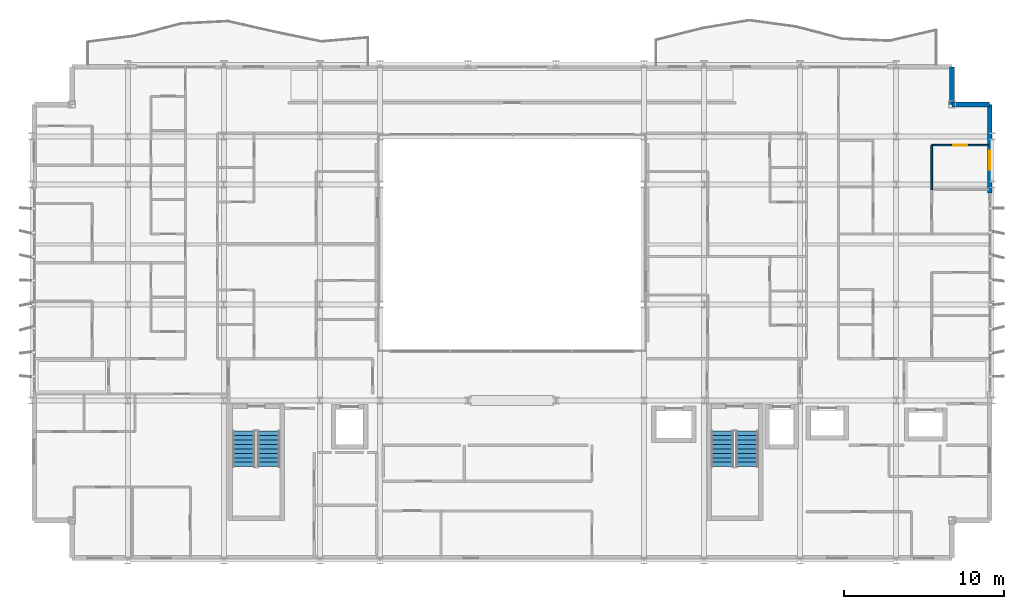
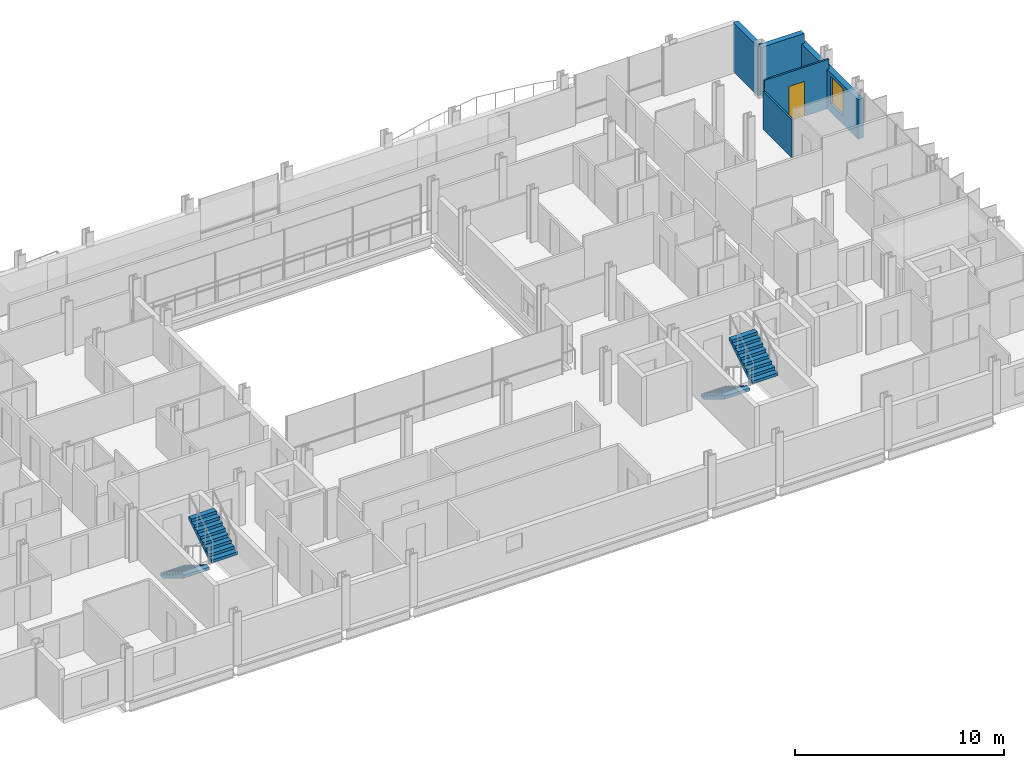
# One storey, part 33 of 39: 5 walls, 4 stair flights, 1 door, 1 window, 2 openings, 2 elements without a shape of their own.
"""IFC4 building model written with IfcOpenShell, lengths in metres."""

from ifc_helpers import new_model, si_unit, direction, frame, frame_2d, origin, place, context, subcontext, project, spatial, polyline, rectangle, outline, extrude, material, layer, layer_set, type_object, element, fill, aggregate, save


model = new_model("IFC4")

# Units and contexts
model_context = context("Model", 3, precision=1e-05, world=origin(), true_north=direction((0.0, 1.0)))
body_context = subcontext(model_context, "Body", "Model", "MODEL_VIEW")
ifc_project = project(units=[si_unit("LENGTHUNIT", "METRE"), si_unit("AREAUNIT", "SQUARE_METRE"), si_unit("VOLUMEUNIT", "CUBIC_METRE"), si_unit("PLANEANGLEUNIT", "RADIAN"), si_unit("MASSUNIT", "GRAM", prefix="KILO")], contexts=[model_context])

# Site, building, storey
site_placement = place(None, origin())
site = spatial("IfcSite", under=ifc_project, at=site_placement, CompositionType="ELEMENT")
building_placement = place(site_placement, origin())
building = spatial("IfcBuilding", under=site, at=building_placement, Name="Brevholm Reach", CompositionType="ELEMENT")
storey_placement = place(building_placement, frame((0.0, 0.0, 90.0)))
storey = spatial("IfcBuildingStorey", under=building, at=storey_placement, Name="L26", CompositionType="ELEMENT", Elevation=90.0)

# Walls
ifc_material_1 = material(Name="Concrete C40/50", Category="concrete")
ifc_layer_1 = layer(ifc_material_1, 0.300048828125)
ifc_layer_set_1 = layer_set([ifc_layer_1], Name="Concrete C40/50")
wall_type_1 = type_object("IfcWallType", Name="WAL-EXT-300", PredefinedType="STANDARD", material=ifc_layer_set_1)
for number, where, z_axis, x_axis, name in (
    (1, (59.85009765625, 28.5, 0.0), (0.0, 0.0, 1.0), (-1.0, 0.0, 0.0), "L26 Facade Wall WAL-L26-CNE1"),
    (2, (57.5, 28.5, 0.0), (0.0, 0.0, 1.0), (0.0, 1.0, 0.0), "L26 Facade Wall WAL-L26-CNE2"),
):
    element("IfcWall", number, at=place(storey_placement, frame(where, z_axis=z_axis, x_axis=x_axis)), inside=storey, type_object=wall_type_1, Name=name, PredefinedType="STANDARD", context=body_context, shape_type="SweptSolid", body=[
        extrude(rectangle(XDim=2.35009765625, YDim=0.300048828125, at=frame_2d((1.175048828125, 0.0))), origin(), (0.0, 0.0, 1.0), 2.8701171875),
    ])

# Wall, opening, window
wall_1_placement = place(storey_placement, frame((59.85009765625, 22.949951171875, 0.0), z_axis=(0.0, 0.0, 1.0), x_axis=(0.0, 1.0, 0.0)))
wall_1 = element("IfcWall", 3, at=wall_1_placement, inside=storey, type_object=wall_type_1, Name="L26 Facade Wall WAL-L26-E-N", PredefinedType="STANDARD", context=body_context, shape_type="SweptSolid", body=[
    extrude(rectangle(XDim=5.550048828125, YDim=0.300048828125, at=frame_2d((2.77490234375, 0.0))), origin(), (0.0, 0.0, 1.0), 2.305419921875),
])
opening_1_placement = place(wall_1_placement, frame((1.449951171875, 0.0, 0.485107421875)))
opening_1 = element("IfcOpeningElement", 4, at=opening_1_placement, cuts=wall_1, Name="Opening WN-08", PredefinedType="OPENING", context=body_context, shape_type="SweptSolid", body=[
    extrude(rectangle(XDim=1.199951171875, YDim=1.60009765625, at=frame_2d((0.60009765625, 0.800048828125))), frame((0.0, 0.159912109375, 0.0), z_axis=(0.0, -1.0, 0.0), x_axis=(1.0, 0.0, 0.0)), (0.0, 0.0, 1.0), 0.320068359375),
])
ifc_material_2 = material(Name="Dark Anodised Aluminium and Solar-Control IGU Glass", Category="aluminium")
window_type = type_object("IfcWindowType", Name="WIN-RES-1200", PartitioningType="SINGLE_PANEL", PredefinedType="WINDOW", material=ifc_material_2)
window_placement = place(opening_1_placement, origin())
window = element("IfcWindow", 5, at=window_placement, inside=storey, type_object=window_type, Name="L26 Window WIN-L26-EN-1", OverallHeight=1.60009765625, OverallWidth=1.199951171875, PartitioningType="SINGLE_PANEL", PredefinedType="WINDOW", context=body_context, shape_type="SweptSolid", body=[
    extrude(rectangle(XDim=1.199951171875, YDim=1.60009765625, at=frame_2d((0.60009765625, 0.800048828125))), frame((0.0, 0.030029296875, 0.0), z_axis=(0.0, -1.0, 0.0), x_axis=(1.0, 0.0, 0.0)), (0.0, 0.0, 1.0), 0.06005859375),
])
fill(opening_1, window)

# Wall, opening, door
ifc_material_3 = material(Name="Moisture-Resistant Acoustic Gypsum Stud Partition 100 mm", Category="gypsum")
ifc_layer_2 = layer(ifc_material_3, 0.10009765625)
ifc_layer_set_2 = layer_set([ifc_layer_2], Name="Moisture-Resistant Acoustic Gypsum Stud Partition 100 mm")
wall_type_2 = type_object("IfcWallType", Name="WAL-PRT-100", PredefinedType="PARTITIONING", material=ifc_layer_set_2)
wall_2_placement = place(storey_placement, frame((56.22802734375, 25.949951171875, 0.0), z_axis=(0.0, 0.0, 1.0), x_axis=(1.0, 0.0, 0.0)))
wall_2 = element("IfcWall", 6, at=wall_2_placement, inside=storey, type_object=wall_type_2, Name="L26 Internal Partition 162", PredefinedType="PARTITIONING", context=body_context, shape_type="SweptSolid", body=[
    extrude(rectangle(XDim=3.572021484375, YDim=0.10009765625, at=frame_2d((1.7861328125, 0.0))), origin(), (0.0, 0.0, 1.0), 2.8701171875),
])
opening_2_placement = place(wall_2_placement, frame((1.345947265625, 0.0, 0.0)))
opening_2 = element("IfcOpeningElement", 7, at=opening_2_placement, cuts=wall_2, Name="Opening ID-01", PredefinedType="OPENING", context=body_context, shape_type="SweptSolid", body=[
    extrude(rectangle(XDim=0.8798828125, YDim=2.0400390625, at=frame_2d((0.43994140625, 1.02001953125))), frame((0.0, 0.06005859375, 0.0), z_axis=(0.0, -1.0, 0.0), x_axis=(1.0, 0.0, 0.0)), (0.0, 0.0, 1.0), 0.1201171875),
])
ifc_material_4 = material(Name="Lacquered Ash Solid-Core Acoustic Internal Door", Category="timber")
door_type = type_object("IfcDoorType", Name="DOR-INT-880", OperationType="NOTDEFINED", PredefinedType="DOOR", material=ifc_material_4)
door_placement = place(opening_2_placement, origin())
door = element("IfcDoor", 8, at=door_placement, inside=storey, type_object=door_type, Name="L26 Internal Door 062", OperationType="SINGLE_SWING_RIGHT", OverallHeight=2.0400390625, OverallWidth=0.8798828125, PredefinedType="DOOR", context=body_context, shape_type="SweptSolid", body=[
    extrude(rectangle(XDim=0.8798828125, YDim=2.0400390625, at=frame_2d((0.43994140625, 1.02001953125))), frame((0.0, 0.02490234375, 0.0), z_axis=(0.0, -1.0, 0.0), x_axis=(1.0, 0.0, 0.0)), (0.0, 0.0, 1.0), 0.050048828125),
])
fill(opening_2, door)

# Wall
wall_3_placement = place(storey_placement, frame((56.22802734375, 23.178955078125, 0.0), z_axis=(0.0, 0.0, 1.0), x_axis=(0.0, 1.0, 0.0)))
element("IfcWall", 9, at=wall_3_placement, inside=storey, type_object=wall_type_2, Name="L26 Internal Partition 163", PredefinedType="PARTITIONING", context=body_context, shape_type="SweptSolid", body=[
    extrude(rectangle(XDim=2.77099609375, YDim=0.10009765625, at=frame_2d((1.385498046875, 0.0))), origin(), (0.0, 0.0, 1.0), 2.224853515625),
])

# Stair, stair flights
ifc_material_5 = material(Name="Precast Concrete C40/50", Category="concrete")
stair_type = type_object("IfcStairType", Name="STR-ESC-1400", PredefinedType="DOUBLE_RETURN_STAIR", material=ifc_material_5)
stair_1_placement = place(storey_placement, origin())
stair_1 = element("IfcStair", 10, at=stair_1_placement, inside=storey, type_object=stair_type, Name="L26 ST-1", PredefinedType="DOUBLE_RETURN_STAIR")
ifc_material_6 = material(Name="Precast Concrete C40/50", Category="concrete")
ifc_layer_3 = layer(ifc_material_6, 0.18505859375)
ifc_layer_set_3 = layer_set([ifc_layer_3], Name="Precast Concrete C40/50")
stair_flight_type = type_object("IfcStairFlightType", Name="STF-PRC-185", PredefinedType="STRAIGHT", material=ifc_layer_set_3)
stair_flight_1_placement = place(storey_placement, frame((13.25, 8.10009765625, 0.0), z_axis=(0.0, 0.0, 1.0), x_axis=(0.0, -1.0, 0.0)))
stair_flight_1 = element("IfcStairFlight", 11, at=stair_flight_1_placement, type_object=stair_flight_type, Name="ST-1 flight 1", NumberOfRisers=9, NumberOfTreads=8, PredefinedType="STRAIGHT", RiserHeight=0.172222222, TreadLength=0.28, context=body_context, shape_type="SweptSolid", body=[
    extrude(outline(polyline([(0.0, 0.0), (0.0, 0.172119140625), (0.280029296875, 0.172119140625), (0.280029296875, 0.344482421875), (0.56005859375, 0.344482421875), (0.56005859375, 0.5166015625), (0.840087890625, 0.5166015625), (0.840087890625, 0.68896484375), (1.1201171875, 0.68896484375), (1.1201171875, 0.861083984375), (1.39990234375, 0.861083984375), (1.39990234375, 1.033447265625), (1.679931640625, 1.033447265625), (1.679931640625, 1.20556640625), (1.9599609375, 1.20556640625), (1.9599609375, 1.377685546875), (2.239990234375, 1.377685546875), (2.239990234375, 1.550048828125), (2.239990234375, 1.201904296875), (0.2861328125, 0.0), (0.0, 0.0)])), frame((0.0, 0.699951171875, 0.0), z_axis=(0.0, -1.0, 0.0), x_axis=(1.0, 0.0, 0.0)), (0.0, 0.0, 1.0), 1.39990234375),
])
stair_flight_2_placement = place(storey_placement, frame((14.800048828125, 5.860107421875, 1.550048828125), z_axis=(0.0, 0.0, 1.0), x_axis=(0.0, 1.0, 0.0)))
stair_flight_2 = element("IfcStairFlight", 12, at=stair_flight_2_placement, type_object=stair_flight_type, Name="ST-1 flight 2", NumberOfRisers=9, NumberOfTreads=8, PredefinedType="STRAIGHT", RiserHeight=0.172222222, TreadLength=0.28, context=body_context, shape_type="SweptSolid", body=[
    extrude(outline(polyline([(0.0, 0.0), (0.0, 0.172119140625), (0.280029296875, 0.172119140625), (0.280029296875, 0.344482421875), (0.56005859375, 0.344482421875), (0.56005859375, 0.5166015625), (0.840087890625, 0.5166015625), (0.840087890625, 0.68896484375), (1.1201171875, 0.68896484375), (1.1201171875, 0.861083984375), (1.39990234375, 0.861083984375), (1.39990234375, 1.033447265625), (1.679931640625, 1.033447265625), (1.679931640625, 1.20556640625), (1.9599609375, 1.20556640625), (1.9599609375, 1.377685546875), (2.239990234375, 1.377685546875), (2.239990234375, 1.550048828125), (2.239990234375, 1.201904296875), (0.2861328125, 0.0), (0.0, 0.0)])), frame((0.0, 0.699951171875, 0.0), z_axis=(0.0, -1.0, 0.0), x_axis=(1.0, 0.0, 0.0)), (0.0, 0.0, 1.0), 1.39990234375),
])
aggregate(stair_1, [stair_flight_1, stair_flight_2])

stair_2_placement = place(storey_placement, origin())
stair_2 = element("IfcStair", 13, at=stair_2_placement, inside=storey, type_object=stair_type, Name="L26 ST-2", PredefinedType="DOUBLE_RETURN_STAIR")
stair_flight_3_placement = place(storey_placement, frame((43.14990234375, 8.10009765625, 0.0), z_axis=(0.0, 0.0, 1.0), x_axis=(0.0, -1.0, 0.0)))
stair_flight_3 = element("IfcStairFlight", 14, at=stair_flight_3_placement, type_object=stair_flight_type, Name="ST-2 flight 1", NumberOfRisers=9, NumberOfTreads=8, PredefinedType="STRAIGHT", RiserHeight=0.172222222, TreadLength=0.28, context=body_context, shape_type="SweptSolid", body=[
    extrude(outline(polyline([(0.0, 0.0), (0.0, 0.172119140625), (0.280029296875, 0.172119140625), (0.280029296875, 0.344482421875), (0.56005859375, 0.344482421875), (0.56005859375, 0.5166015625), (0.840087890625, 0.5166015625), (0.840087890625, 0.68896484375), (1.1201171875, 0.68896484375), (1.1201171875, 0.861083984375), (1.39990234375, 0.861083984375), (1.39990234375, 1.033447265625), (1.679931640625, 1.033447265625), (1.679931640625, 1.20556640625), (1.9599609375, 1.20556640625), (1.9599609375, 1.377685546875), (2.239990234375, 1.377685546875), (2.239990234375, 1.550048828125), (2.239990234375, 1.201904296875), (0.2861328125, 0.0), (0.0, 0.0)])), frame((0.0, 0.699951171875, 0.0), z_axis=(0.0, -1.0, 0.0), x_axis=(1.0, 0.0, 0.0)), (0.0, 0.0, 1.0), 1.39990234375),
])
stair_flight_4_placement = place(storey_placement, frame((44.699951171875, 5.860107421875, 1.550048828125), z_axis=(0.0, 0.0, 1.0), x_axis=(0.0, 1.0, 0.0)))
stair_flight_4 = element("IfcStairFlight", 15, at=stair_flight_4_placement, type_object=stair_flight_type, Name="ST-2 flight 2", NumberOfRisers=9, NumberOfTreads=8, PredefinedType="STRAIGHT", RiserHeight=0.172222222, TreadLength=0.28, context=body_context, shape_type="SweptSolid", body=[
    extrude(outline(polyline([(0.0, 0.0), (0.0, 0.172119140625), (0.280029296875, 0.172119140625), (0.280029296875, 0.344482421875), (0.56005859375, 0.344482421875), (0.56005859375, 0.5166015625), (0.840087890625, 0.5166015625), (0.840087890625, 0.68896484375), (1.1201171875, 0.68896484375), (1.1201171875, 0.861083984375), (1.39990234375, 0.861083984375), (1.39990234375, 1.033447265625), (1.679931640625, 1.033447265625), (1.679931640625, 1.20556640625), (1.9599609375, 1.20556640625), (1.9599609375, 1.377685546875), (2.239990234375, 1.377685546875), (2.239990234375, 1.550048828125), (2.239990234375, 1.201904296875), (0.2861328125, 0.0), (0.0, 0.0)])), frame((0.0, 0.699951171875, 0.0), z_axis=(0.0, -1.0, 0.0), x_axis=(1.0, 0.0, 0.0)), (0.0, 0.0, 1.0), 1.39990234375),
])
aggregate(stair_2, [stair_flight_3, stair_flight_4])

save(model, "model.ifc")
